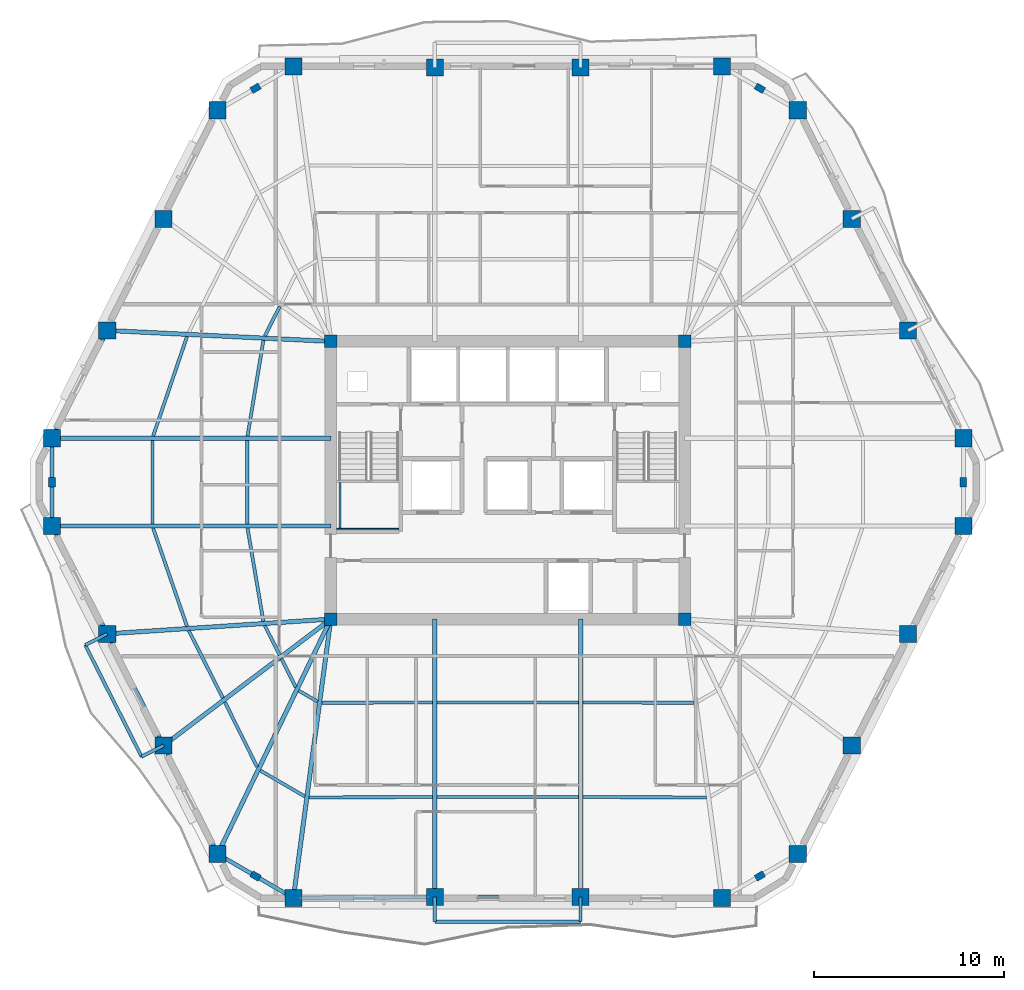
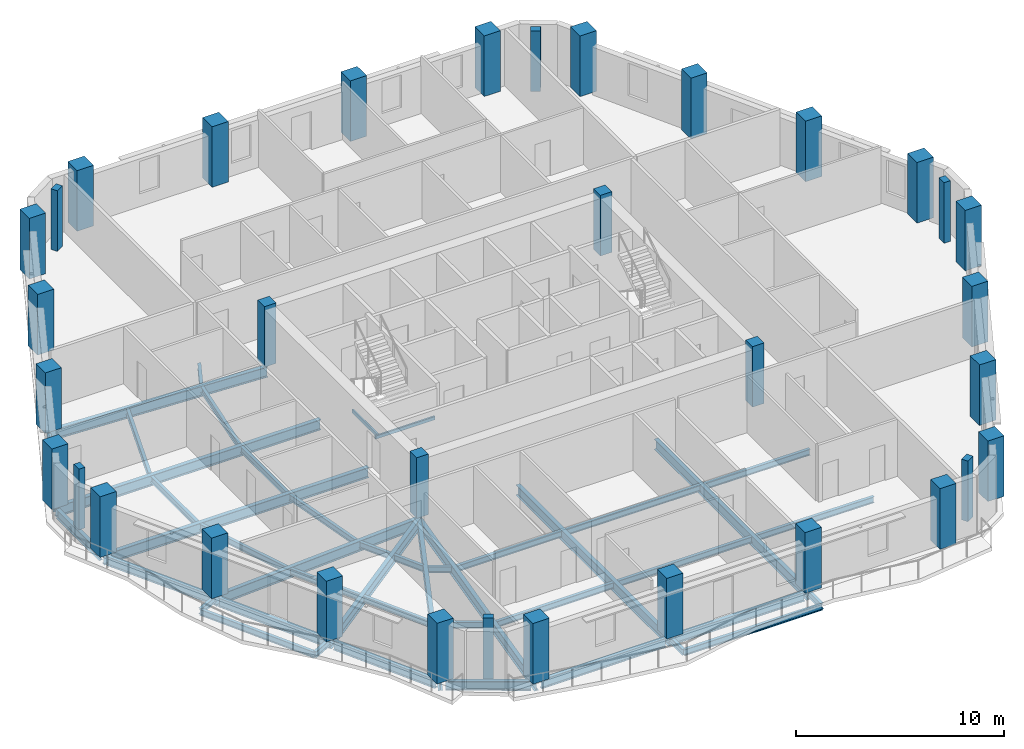
# One storey, part 1 of 12: 44 beams, 34 columns.
"""IFC4 building model written with IfcOpenShell, lengths in metres."""

from ifc_helpers import new_model, si_unit, direction, frame, origin, origin_2d, place, context, subcontext, project, spatial, rectangle, hollow_rectangle, i_section, extrude, material, material_profile, profile_set, type_object, element, save


model = new_model("IFC4")

# Units and contexts
model_context = context("Model", 3, precision=1e-05, world=origin(), true_north=direction((0.0, 1.0)))
body_context = subcontext(model_context, "Body", "Model", "MODEL_VIEW")
ifc_project = project(units=[si_unit("LENGTHUNIT", "METRE"), si_unit("AREAUNIT", "SQUARE_METRE"), si_unit("VOLUMEUNIT", "CUBIC_METRE"), si_unit("PLANEANGLEUNIT", "RADIAN"), si_unit("MASSUNIT", "GRAM", prefix="KILO")], contexts=[model_context])

# Site, building, storey
site_placement = place(None, origin())
site = spatial("IfcSite", under=ifc_project, at=site_placement, CompositionType="ELEMENT")
building_placement = place(site_placement, origin())
building = spatial("IfcBuilding", under=site, at=building_placement, Name="Cinnabar Lancet Tower", CompositionType="ELEMENT")
storey_placement = place(building_placement, frame((0.0, 0.0, 157.050048828125)))
storey = spatial("IfcBuildingStorey", under=building, at=storey_placement, Name="L41", CompositionType="ELEMENT", Elevation=157.050048828125)

# Columns
ifc_material_1 = material(Name="Concrete C60/75", Category="concrete")
ifc_material_profile_1 = material_profile(ifc_material_1, rectangle(XDim=0.64990234375, YDim=0.64990234375, at=origin_2d()), Name="RC-COL 650x650")
ifc_profile_set_1 = profile_set([ifc_material_profile_1], Name="Concrete C60/75")
column_type_1 = type_object("IfcColumnType", Name="STR-COL-CORE-650", PredefinedType="COLUMN", material=ifc_profile_set_1)
for number, where, z_axis, x_axis, name in (
    (1, (23.10009765625, 18.60009765625, 0.0), (0.0, 0.0, 1.0), (1.0, 0.0, 0.0), "L41 Core Corner Column SW"),
    (2, (41.699951171875, 18.60009765625, 0.0), (0.0, 0.0, 1.0), (1.0, 0.0, 0.0), "L41 Core Corner Column SE"),
    (3, (41.699951171875, 33.199951171875, 0.0), (0.0, 0.0, 1.0), (1.0, 0.0, 0.0), "L41 Core Corner Column NE"),
    (4, (23.10009765625, 33.199951171875, 0.0), (0.0, 0.0, 1.0), (1.0, 0.0, 0.0), "L41 Core Corner Column NW"),
):
    element("IfcColumn", number, at=place(storey_placement, frame(where, z_axis=z_axis, x_axis=x_axis)), inside=storey, type_object=column_type_1, Name=name, PredefinedType="COLUMN", context=body_context, shape_type="SweptSolid", body=[
        extrude(rectangle(XDim=0.64990234375, YDim=0.64990234375, at=origin_2d()), origin(), (0.0, 0.0, 1.0), 3.550048828125),
    ])
ifc_material_2 = material(Name="Concrete C60/75", Category="concrete")
ifc_material_profile_2 = material_profile(ifc_material_2, rectangle(XDim=0.5, YDim=0.35009765625, at=origin_2d()), Name="RC-PIL 500x350")
ifc_profile_set_2 = profile_set([ifc_material_profile_2], Name="Concrete C60/75")
column_type_2 = type_object("IfcColumnType", Name="STR-COL-PIL-500", PredefinedType="PILASTER", material=ifc_profile_set_2)
for number, where, z_axis, x_axis, name in (
    (5, (19.14111328125, 5.093017578125, 0.0), (0.0, 0.0, 1.0), (0.865160173452, -0.501495637342, 0.0), "L41 Chamfered Corner Pilaster 1"),
    (6, (45.658935546875, 5.093017578125, 0.0), (0.0, 0.0, 1.0), (0.865160173452, 0.501495637342, 0.0), "L41 Chamfered Corner Pilaster 2"),
    (7, (56.35693359375, 25.800048828125, 0.0), (0.0, 0.0, 1.0), (0.0, 1.0, 0.0), "L41 Chamfered Corner Pilaster 3"),
    (8, (45.658935546875, 46.508056640625, 0.0), (0.0, 0.0, 1.0), (-0.865160173452, 0.501495637342, 0.0), "L41 Chamfered Corner Pilaster 4"),
    (9, (19.14111328125, 46.508056640625, 0.0), (0.0, 0.0, 1.0), (-0.865160173452, -0.501495637342, 0.0), "L41 Chamfered Corner Pilaster 5"),
    (10, (8.443115234375, 25.800048828125, 0.0), (0.0, 0.0, 1.0), (0.0, -1.0, 0.0), "L41 Chamfered Corner Pilaster 6"),
):
    element("IfcColumn", number, at=place(storey_placement, frame(where, z_axis=z_axis, x_axis=x_axis)), inside=storey, type_object=column_type_2, Name=name, PredefinedType="PILASTER", context=body_context, shape_type="SweptSolid", body=[
        extrude(rectangle(XDim=0.5, YDim=0.35009765625, at=origin_2d()), origin(), (0.0, 0.0, 1.0), 3.550048828125),
    ])
ifc_material_3 = material(Name="Concrete C60/75", Category="concrete")
ifc_material_profile_3 = material_profile(ifc_material_3, rectangle(XDim=0.89990234375, YDim=0.89990234375, at=origin_2d()), Name="RC-COL 900x900")
ifc_profile_set_3 = profile_set([ifc_material_profile_3], Name="Concrete C60/75")
column_type_3 = type_object("IfcColumnType", Name="STR-COL-TUBE-900", PredefinedType="COLUMN", material=ifc_profile_set_3)
for number, where, z_axis, x_axis, name in (
    (11, (21.131103515625, 3.93896484375, 0.0), (0.0, 0.0, 1.0), (1.0, 0.0, 0.0), "L41 Perimeter Tube Column 1"),
    (12, (28.568115234375, 3.991943359375, 0.0), (0.0, 0.0, 1.0), (1.0, 0.0, 0.0), "L41 Perimeter Tube Column 2"),
    (13, (36.23193359375, 3.991943359375, 0.0), (0.0, 0.0, 1.0), (1.0, 0.0, 0.0), "L41 Perimeter Tube Column 3"),
    (14, (43.6689453125, 3.93896484375, 0.0), (0.0, 0.0, 1.0), (1.0, 0.0, 0.0), "L41 Perimeter Tube Column 4"),
    (15, (47.64892578125, 6.24609375, 0.0), (0.0, 0.0, 1.0), (1.0, 0.0, 0.0), "L41 Perimeter Tube Column 5"),
    (16, (50.489013671875, 11.955078125, 0.0), (0.0, 0.0, 1.0), (1.0, 0.0, 0.0), "L41 Perimeter Tube Column 6"),
    (17, (53.451904296875, 17.823974609375, 0.0), (0.0, 0.0, 1.0), (1.0, 0.0, 0.0), "L41 Perimeter Tube Column 7"),
    (18, (56.35693359375, 23.490966796875, 0.0), (0.0, 0.0, 1.0), (1.0, 0.0, 0.0), "L41 Perimeter Tube Column 8"),
    (19, (56.35693359375, 28.10888671875, 0.0), (0.0, 0.0, 1.0), (1.0, 0.0, 0.0), "L41 Perimeter Tube Column 9"),
    (20, (53.451904296875, 33.77587890625, 0.0), (0.0, 0.0, 1.0), (1.0, 0.0, 0.0), "L41 Perimeter Tube Column 10"),
    (21, (50.489013671875, 39.64501953125, 0.0), (0.0, 0.0, 1.0), (1.0, 0.0, 0.0), "L41 Perimeter Tube Column 11"),
    (22, (47.64892578125, 45.35400390625, 0.0), (0.0, 0.0, 1.0), (1.0, 0.0, 0.0), "L41 Perimeter Tube Column 12"),
    (23, (43.6689453125, 47.660888671875, 0.0), (0.0, 0.0, 1.0), (1.0, 0.0, 0.0), "L41 Perimeter Tube Column 13"),
    (24, (36.23193359375, 47.60791015625, 0.0), (0.0, 0.0, 1.0), (1.0, 0.0, 0.0), "L41 Perimeter Tube Column 14"),
    (25, (28.568115234375, 47.60791015625, 0.0), (0.0, 0.0, 1.0), (1.0, 0.0, 0.0), "L41 Perimeter Tube Column 15"),
    (26, (21.131103515625, 47.660888671875, 0.0), (0.0, 0.0, 1.0), (1.0, 0.0, 0.0), "L41 Perimeter Tube Column 16"),
    (27, (17.15087890625, 45.35400390625, 0.0), (0.0, 0.0, 1.0), (1.0, 0.0, 0.0), "L41 Perimeter Tube Column 17"),
    (28, (14.31103515625, 39.64501953125, 0.0), (0.0, 0.0, 1.0), (1.0, 0.0, 0.0), "L41 Perimeter Tube Column 18"),
    (29, (11.347900390625, 33.77587890625, 0.0), (0.0, 0.0, 1.0), (1.0, 0.0, 0.0), "L41 Perimeter Tube Column 19"),
    (30, (8.443115234375, 28.10888671875, 0.0), (0.0, 0.0, 1.0), (1.0, 0.0, 0.0), "L41 Perimeter Tube Column 20"),
    (31, (8.443115234375, 23.490966796875, 0.0), (0.0, 0.0, 1.0), (1.0, 0.0, 0.0), "L41 Perimeter Tube Column 21"),
    (32, (11.347900390625, 17.823974609375, 0.0), (0.0, 0.0, 1.0), (1.0, 0.0, 0.0), "L41 Perimeter Tube Column 22"),
    (33, (14.31103515625, 11.955078125, 0.0), (0.0, 0.0, 1.0), (1.0, 0.0, 0.0), "L41 Perimeter Tube Column 23"),
    (34, (17.15087890625, 6.24609375, 0.0), (0.0, 0.0, 1.0), (1.0, 0.0, 0.0), "L41 Perimeter Tube Column 24"),
):
    element("IfcColumn", number, at=place(storey_placement, frame(where, z_axis=z_axis, x_axis=x_axis)), inside=storey, type_object=column_type_3, Name=name, PredefinedType="COLUMN", context=body_context, shape_type="SweptSolid", body=[
        extrude(rectangle(XDim=0.89990234375, YDim=0.89990234375, at=origin_2d()), origin(), (0.0, 0.0, 1.0), 3.550048828125),
    ])

# Beams
ifc_material_4 = material(Name="Structural steel S355", Category="steel")
ifc_material_profile_4 = material_profile(ifc_material_4, i_section(OverallWidth=0.17138671875, OverallDepth=0.35498046875, WebThickness=0.00732421875, FlangeThickness=0.011474609375, FilletRadius=0.01025390625, at=origin_2d()), Name="UKB 356x171x51")
ifc_profile_set_4 = profile_set([ifc_material_profile_4], Name="Structural steel S355")
beam_type_1 = type_object("IfcBeamType", Name="STR-BM-JST-356", PredefinedType="JOIST", material=ifc_profile_set_4)
beam_1_placement = place(storey_placement, frame((13.759033203125, 23.376953125, -0.387939453125), z_axis=(0.326162915393, -0.945313573701, 0.0), x_axis=(0.945313573701, 0.326162915393, 0.0)))
element("IfcBeam", 35, at=beam_1_placement, inside=storey, type_object=beam_type_1, Name="L41 Secondary Floor Joist 1", PredefinedType="JOIST", context=body_context, shape_type="SweptSolid", body=[
    extrude(i_section(OverallWidth=0.17138671875, OverallDepth=0.35498046875, WebThickness=0.00732421875, FlangeThickness=0.011474609375, FilletRadius=0.01025390625, at=origin_2d()), origin(), (0.0, 0.0, 1.0), 5.46044921875),
])
beam_2_placement = place(storey_placement, frame((18.721923828125, 23.376953125, -0.387939453125), z_axis=(0.167697718414, -0.985838463055, 0.0), x_axis=(0.985838463055, 0.167697718414, 0.0)))
element("IfcBeam", 36, at=beam_2_placement, inside=storey, type_object=beam_type_1, Name="L41 Secondary Floor Joist 2", PredefinedType="JOIST", context=body_context, shape_type="SweptSolid", body=[
    extrude(i_section(OverallWidth=0.17138671875, OverallDepth=0.35498046875, WebThickness=0.00732421875, FlangeThickness=0.011474609375, FilletRadius=0.01025390625, at=origin_2d()), origin(), (0.0, 0.0, 1.0), 4.96728515625),
])
beam_3_placement = place(storey_placement, frame((15.635009765625, 17.992919921875, -0.387939453125), z_axis=(0.450656035687, -0.892697674187, 0.0), x_axis=(0.892697674187, 0.450656035687, 0.0)))
element("IfcBeam", 37, at=beam_3_placement, inside=storey, type_object=beam_type_1, Name="L41 Secondary Floor Joist 3", PredefinedType="JOIST", context=body_context, shape_type="SweptSolid", body=[
    extrude(i_section(OverallWidth=0.17138671875, OverallDepth=0.35498046875, WebThickness=0.00732421875, FlangeThickness=0.011474609375, FilletRadius=0.01025390625, at=origin_2d()), origin(), (0.0, 0.0, 1.0), 3.9677734375),
])
beam_4_placement = place(storey_placement, frame((19.6298828125, 18.257080078125, -0.387939453125), z_axis=(0.45064755491, -0.892701955444, 0.0), x_axis=(0.892701955444, 0.45064755491, 0.0)))
element("IfcBeam", 38, at=beam_4_placement, inside=storey, type_object=beam_type_1, Name="L41 Secondary Floor Joist 4", PredefinedType="JOIST", context=body_context, shape_type="SweptSolid", body=[
    extrude(i_section(OverallWidth=0.17138671875, OverallDepth=0.35498046875, WebThickness=0.00732421875, FlangeThickness=0.011474609375, FilletRadius=0.01025390625, at=origin_2d()), origin(), (0.0, 0.0, 1.0), 1.733154296875),
])
beam_5_placement = place(storey_placement, frame((17.527099609375, 14.242919921875, -0.387939453125), z_axis=(0.445320605596, -0.895371184611, 0.0), x_axis=(0.895371184611, 0.445320605596, 0.0)))
element("IfcBeam", 39, at=beam_5_placement, inside=storey, type_object=beam_type_1, Name="L41 Secondary Floor Joist 5", PredefinedType="JOIST", context=body_context, shape_type="SweptSolid", body=[
    extrude(i_section(OverallWidth=0.17138671875, OverallDepth=0.35498046875, WebThickness=0.00732421875, FlangeThickness=0.011474609375, FilletRadius=0.01025390625, at=origin_2d()), origin(), (0.0, 0.0, 1.0), 3.819580078125),
])
beam_6_placement = place(storey_placement, frame((20.514892578125, 16.5029296875, -0.387939453125), z_axis=(0.445322008813, -0.895370486708, 0.0), x_axis=(0.895370486708, 0.445322008813, 0.0)))
element("IfcBeam", 40, at=beam_6_placement, inside=storey, type_object=beam_type_1, Name="L41 Secondary Floor Joist 6", PredefinedType="JOIST", context=body_context, shape_type="SweptSolid", body=[
    extrude(i_section(OverallWidth=0.17138671875, OverallDepth=0.35498046875, WebThickness=0.00732421875, FlangeThickness=0.011474609375, FilletRadius=0.01025390625, at=origin_2d()), origin(), (0.0, 0.0, 1.0), 1.65283203125),
])
beam_7_placement = place(storey_placement, frame((19.39208984375, 10.635986328125, -0.387939453125), z_axis=(0.865150214692, -0.501512817403, 0.0), x_axis=(0.501512817403, 0.865150214692, 0.0)))
element("IfcBeam", 41, at=beam_7_placement, inside=storey, type_object=beam_type_1, Name="L41 Secondary Floor Joist 7", PredefinedType="JOIST", context=body_context, shape_type="SweptSolid", body=[
    extrude(i_section(OverallWidth=0.17138671875, OverallDepth=0.35498046875, WebThickness=0.00732421875, FlangeThickness=0.011474609375, FilletRadius=0.01025390625, at=origin_2d()), origin(), (0.0, 0.0, 1.0), 2.70556640625),
])
beam_8_placement = place(storey_placement, frame((21.4140625, 14.8359375, -0.387939453125), z_axis=(0.865426285481, -0.501036270542, 0.0), x_axis=(0.501036270542, 0.865426285481, 0.0)))
element("IfcBeam", 42, at=beam_8_placement, inside=storey, type_object=beam_type_1, Name="L41 Secondary Floor Joist 8", PredefinedType="JOIST", context=body_context, shape_type="SweptSolid", body=[
    extrude(i_section(OverallWidth=0.17138671875, OverallDepth=0.35498046875, WebThickness=0.00732421875, FlangeThickness=0.011474609375, FilletRadius=0.01025390625, at=origin_2d()), origin(), (0.0, 0.0, 1.0), 1.1416015625),
])
beam_9_placement = place(storey_placement, frame((21.955078125, 9.218017578125, -0.387939453125), z_axis=(0.999987891549, 0.004921052359, 0.0), x_axis=(-0.004921052359, 0.999987891549, 0.0)))
element("IfcBeam", 43, at=beam_9_placement, inside=storey, type_object=beam_type_1, Name="L41 Secondary Floor Joist 9", PredefinedType="JOIST", context=body_context, shape_type="SweptSolid", body=[
    extrude(i_section(OverallWidth=0.17138671875, OverallDepth=0.35498046875, WebThickness=0.00732421875, FlangeThickness=0.011474609375, FilletRadius=0.01025390625, at=origin_2d()), origin(), (0.0, 0.0, 1.0), 6.4990234375),
])
beam_10_placement = place(storey_placement, frame((22.6240234375, 14.201904296875, -0.387939453125), z_axis=(0.999996629591, 0.002596306157, 0.0), x_axis=(-0.002596306157, 0.999996629591, 0.0)))
element("IfcBeam", 44, at=beam_10_placement, inside=storey, type_object=beam_type_1, Name="L41 Secondary Floor Joist 10", PredefinedType="JOIST", context=body_context, shape_type="SweptSolid", body=[
    extrude(i_section(OverallWidth=0.17138671875, OverallDepth=0.35498046875, WebThickness=0.00732421875, FlangeThickness=0.011474609375, FilletRadius=0.01025390625, at=origin_2d()), origin(), (0.0, 0.0, 1.0), 5.830078125),
])
for number, where, z_axis, x_axis, name in (
    (45, (28.681884765625, 9.2509765625, -0.387939453125), (1.0, 0.0, 0.0), (0.0, 1.0, 0.0), "L41 Secondary Floor Joist 11"),
    (46, (28.681884765625, 14.218017578125, -0.387939453125), (1.0, 0.0, 0.0), (0.0, 1.0, 0.0), "L41 Secondary Floor Joist 12"),
):
    element("IfcBeam", number, at=place(storey_placement, frame(where, z_axis=z_axis, x_axis=x_axis)), inside=storey, type_object=beam_type_1, Name=name, PredefinedType="JOIST", context=body_context, shape_type="SweptSolid", body=[
        extrude(i_section(OverallWidth=0.17138671875, OverallDepth=0.35498046875, WebThickness=0.00732421875, FlangeThickness=0.011474609375, FilletRadius=0.01025390625, at=origin_2d()), origin(), (0.0, 0.0, 1.0), 7.43603515625),
    ])
beam_11_placement = place(storey_placement, frame((36.345947265625, 9.25, -0.387939453125), z_axis=(0.999987891549, -0.004921052359, 0.0), x_axis=(0.004921052359, 0.999987891549, 0.0)))
element("IfcBeam", 47, at=beam_11_placement, inside=storey, type_object=beam_type_1, Name="L41 Secondary Floor Joist 13", PredefinedType="JOIST", context=body_context, shape_type="SweptSolid", body=[
    extrude(i_section(OverallWidth=0.17138671875, OverallDepth=0.35498046875, WebThickness=0.00732421875, FlangeThickness=0.011474609375, FilletRadius=0.01025390625, at=origin_2d()), origin(), (0.0, 0.0, 1.0), 6.4990234375),
])
beam_12_placement = place(storey_placement, frame((36.345947265625, 14.217041015625, -0.387939453125), z_axis=(0.999996629591, -0.002596306157, 0.0), x_axis=(0.002596306157, 0.999996629591, 0.0)))
element("IfcBeam", 48, at=beam_12_placement, inside=storey, type_object=beam_type_1, Name="L41 Secondary Floor Joist 14", PredefinedType="JOIST", context=body_context, shape_type="SweptSolid", body=[
    extrude(i_section(OverallWidth=0.17138671875, OverallDepth=0.35498046875, WebThickness=0.00732421875, FlangeThickness=0.011474609375, FilletRadius=0.01025390625, at=origin_2d()), origin(), (0.0, 0.0, 1.0), 5.830078125),
])
beam_13_placement = place(storey_placement, frame((20.410888671875, 35.030029296875, -0.387939453125), z_axis=(-0.45031262143, -0.892870955391, 0.0), x_axis=(0.892870955391, -0.45031262143, 0.0)))
element("IfcBeam", 49, at=beam_13_placement, inside=storey, type_object=beam_type_1, Name="L41 Secondary Floor Joist 44", PredefinedType="JOIST", context=body_context, shape_type="SweptSolid", body=[
    extrude(i_section(OverallWidth=0.17138671875, OverallDepth=0.35498046875, WebThickness=0.00732421875, FlangeThickness=0.011474609375, FilletRadius=0.01025390625, at=origin_2d()), origin(), (0.0, 0.0, 1.0), 1.731689453125),
])
beam_14_placement = place(storey_placement, frame((15.5400390625, 33.4560546875, -0.387939453125), z_axis=(-0.322342106762, -0.946623244067, 0.0), x_axis=(0.946623244067, -0.322342106762, 0.0)))
element("IfcBeam", 50, at=beam_14_placement, inside=storey, type_object=beam_type_1, Name="L41 Secondary Floor Joist 45", PredefinedType="JOIST", context=body_context, shape_type="SweptSolid", body=[
    extrude(i_section(OverallWidth=0.17138671875, OverallDepth=0.35498046875, WebThickness=0.00732421875, FlangeThickness=0.011474609375, FilletRadius=0.01025390625, at=origin_2d()), origin(), (0.0, 0.0, 1.0), 5.5283203125),
])
beam_15_placement = place(storey_placement, frame((19.555908203125, 33.259033203125, -0.387939453125), z_axis=(-0.163375154205, -0.98656401667, 0.0), x_axis=(0.98656401667, -0.163375154205, 0.0)))
element("IfcBeam", 51, at=beam_15_placement, inside=storey, type_object=beam_type_1, Name="L41 Secondary Floor Joist 46", PredefinedType="JOIST", context=body_context, shape_type="SweptSolid", body=[
    extrude(i_section(OverallWidth=0.17138671875, OverallDepth=0.35498046875, WebThickness=0.00732421875, FlangeThickness=0.011474609375, FilletRadius=0.01025390625, at=origin_2d()), origin(), (0.0, 0.0, 1.0), 5.104736328125),
])
for number, where, z_axis, x_axis, name in (
    (52, (13.719970703125, 27.9951171875, -0.387939453125), (0.0, -1.0, 0.0), (1.0, 0.0, 0.0), "L41 Secondary Floor Joist 47"),
    (53, (18.702880859375, 27.9951171875, -0.387939453125), (0.0, -1.0, 0.0), (1.0, 0.0, 0.0), "L41 Secondary Floor Joist 48"),
):
    element("IfcBeam", number, at=place(storey_placement, frame(where, z_axis=z_axis, x_axis=x_axis)), inside=storey, type_object=beam_type_1, Name=name, PredefinedType="JOIST", context=body_context, shape_type="SweptSolid", body=[
        extrude(i_section(OverallWidth=0.17138671875, OverallDepth=0.35498046875, WebThickness=0.00732421875, FlangeThickness=0.011474609375, FilletRadius=0.01025390625, at=origin_2d()), origin(), (0.0, 0.0, 1.0), 4.39013671875),
    ])
ifc_material_5 = material(Name="Structural steel S355", Category="steel")
ifc_material_profile_5 = material_profile(ifc_material_5, hollow_rectangle(XDim=0.10009765625, YDim=0.199951171875, WallThickness=0.008056640625, InnerFilletRadius=0.00390625, OuterFilletRadius=0.011962890625, at=origin_2d()), Name="RHS 200x100x8")
ifc_profile_set_5 = profile_set([ifc_material_profile_5], Name="Structural steel S355")
beam_type_2 = type_object("IfcBeamType", Name="STR-BM-LND-203", PredefinedType="BEAM", material=ifc_profile_set_5)
beam_16_placement = place(storey_placement, frame((23.39990234375, 23.330078125, 1.474853515625), z_axis=(1.0, 0.0, 0.0), x_axis=(0.0, 1.0, 0.0)))
element("IfcBeam", 54, at=beam_16_placement, inside=storey, type_object=beam_type_2, Name="L41 ST-1-L41 Landing Support Beam S", PredefinedType="BEAM", context=body_context, shape_type="SweptSolid", body=[
    extrude(hollow_rectangle(XDim=0.10009765625, YDim=0.199951171875, WallThickness=0.008056640625, InnerFilletRadius=0.00390625, OuterFilletRadius=0.011962890625, at=origin_2d()), origin(), (0.0, 0.0, 1.0), 3.280029296875),
])
beam_17_placement = place(storey_placement, frame((23.580078125, 23.3798828125, 1.474853515625), z_axis=(0.0, 1.0, 0.0), x_axis=(-1.0, 0.0, 0.0)))
element("IfcBeam", 55, at=beam_17_placement, inside=storey, type_object=beam_type_2, Name="L41 ST-1-L41 Landing Side Trimmer Beam", PredefinedType="BEAM", context=body_context, shape_type="SweptSolid", body=[
    extrude(hollow_rectangle(XDim=0.10009765625, YDim=0.199951171875, WallThickness=0.008056640625, InnerFilletRadius=0.00390625, OuterFilletRadius=0.011962890625, at=origin_2d()), origin(), (0.0, 0.0, 1.0), 2.4150390625),
])
ifc_material_6 = material(Name="Structural steel S355", Category="steel")
ifc_material_profile_6 = material_profile(ifc_material_6, i_section(OverallWidth=0.209228515625, OverallDepth=0.533203125, WebThickness=0.010009765625, FlangeThickness=0.015625, FilletRadius=0.0126953125, at=origin_2d()), Name="UKB 533x210x92")
ifc_profile_set_6 = profile_set([ifc_material_profile_6], Name="Structural steel S355")
beam_type_3 = type_object("IfcBeamType", Name="STR-BM-SPN-533", PredefinedType="SPANDREL", material=ifc_profile_set_6)
beam_18_placement = place(storey_placement, frame((21.381103515625, 3.94091796875, -0.47705078125), z_axis=(0.999974980359, 0.007073800628, 0.0), x_axis=(-0.007073800628, 0.999974980359, 0.0)))
element("IfcBeam", 56, at=beam_18_placement, inside=storey, type_object=beam_type_3, Name="L41 Perimeter Spandrel 1", PredefinedType="SPANDREL", context=body_context, shape_type="SweptSolid", body=[
    extrude(i_section(OverallWidth=0.209228515625, OverallDepth=0.533203125, WebThickness=0.010009765625, FlangeThickness=0.015625, FilletRadius=0.0126953125, at=origin_2d()), origin(), (0.0, 0.0, 1.0), 6.937255859375),
])
beam_19_placement = place(storey_placement, frame((28.818115234375, 3.991943359375, -0.47705078125), z_axis=(1.0, 0.0, 0.0), x_axis=(0.0, 1.0, 0.0)))
element("IfcBeam", 57, at=beam_19_placement, inside=storey, type_object=beam_type_3, Name="L41 Perimeter Spandrel 2", PredefinedType="SPANDREL", context=body_context, shape_type="SweptSolid", body=[
    extrude(i_section(OverallWidth=0.209228515625, OverallDepth=0.533203125, WebThickness=0.010009765625, FlangeThickness=0.015625, FilletRadius=0.0126953125, at=origin_2d()), origin(), (0.0, 0.0, 1.0), 7.163818359375),
])
beam_20_placement = place(storey_placement, frame((11.23388671875, 33.553955078125, -0.47705078125), z_axis=(-0.456126618405, -0.889914888055, 0.0), x_axis=(0.889914888055, -0.456126618405, 0.0)))
element("IfcBeam", 58, at=beam_20_placement, inside=storey, type_object=beam_type_3, Name="L41 Perimeter Spandrel 19", PredefinedType="SPANDREL", context=body_context, shape_type="SweptSolid", body=[
    extrude(i_section(OverallWidth=0.209228515625, OverallDepth=0.533203125, WebThickness=0.010009765625, FlangeThickness=0.015625, FilletRadius=0.0126953125, at=origin_2d()), origin(), (0.0, 0.0, 1.0), 5.868896484375),
])
beam_21_placement = place(storey_placement, frame((8.443115234375, 27.85888671875, -0.47705078125), z_axis=(0.0, -1.0, 0.0), x_axis=(1.0, 0.0, 0.0)))
element("IfcBeam", 59, at=beam_21_placement, inside=storey, type_object=beam_type_3, Name="L41 Perimeter Spandrel 20", PredefinedType="SPANDREL", context=body_context, shape_type="SweptSolid", body=[
    extrude(i_section(OverallWidth=0.209228515625, OverallDepth=0.533203125, WebThickness=0.010009765625, FlangeThickness=0.015625, FilletRadius=0.0126953125, at=origin_2d()), origin(), (0.0, 0.0, 1.0), 4.117919921875),
])
beam_22_placement = place(storey_placement, frame((8.556884765625, 23.26904296875, -0.47705078125), z_axis=(0.456109733574, -0.889923542187, 0.0), x_axis=(0.889923542187, 0.456109733574, 0.0)))
element("IfcBeam", 60, at=beam_22_placement, inside=storey, type_object=beam_type_3, Name="L41 Perimeter Spandrel 21", PredefinedType="SPANDREL", context=body_context, shape_type="SweptSolid", body=[
    extrude(i_section(OverallWidth=0.209228515625, OverallDepth=0.533203125, WebThickness=0.010009765625, FlangeThickness=0.015625, FilletRadius=0.0126953125, at=origin_2d()), origin(), (0.0, 0.0, 1.0), 5.869140625),
])
beam_23_placement = place(storey_placement, frame((11.4609375, 17.60107421875, -0.47705078125), z_axis=(0.450570325924, -0.892740937449, 0.0), x_axis=(0.892740937449, 0.450570325924, 0.0)))
element("IfcBeam", 61, at=beam_23_placement, inside=storey, type_object=beam_type_3, Name="L41 Perimeter Spandrel 22", PredefinedType="SPANDREL", context=body_context, shape_type="SweptSolid", body=[
    extrude(i_section(OverallWidth=0.209228515625, OverallDepth=0.533203125, WebThickness=0.010009765625, FlangeThickness=0.015625, FilletRadius=0.0126953125, at=origin_2d()), origin(), (0.0, 0.0, 1.0), 6.07470703125),
])
beam_24_placement = place(storey_placement, frame((14.422119140625, 11.73095703125, -0.47705078125), z_axis=(0.445501068635, -0.89528140707, 0.0), x_axis=(0.89528140707, 0.445501068635, 0.0)))
element("IfcBeam", 62, at=beam_24_placement, inside=storey, type_object=beam_type_3, Name="L41 Perimeter Spandrel 23", PredefinedType="SPANDREL", context=body_context, shape_type="SweptSolid", body=[
    extrude(i_section(OverallWidth=0.209228515625, OverallDepth=0.533203125, WebThickness=0.010009765625, FlangeThickness=0.015625, FilletRadius=0.0126953125, at=origin_2d()), origin(), (0.0, 0.0, 1.0), 5.87646484375),
])
beam_25_placement = place(storey_placement, frame((17.366943359375, 6.12109375, -0.47705078125), z_axis=(0.865112299906, -0.501578217781, 0.0), x_axis=(0.501578217781, 0.865112299906, 0.0)))
element("IfcBeam", 63, at=beam_25_placement, inside=storey, type_object=beam_type_3, Name="L41 Perimeter Spandrel 24", PredefinedType="SPANDREL", context=body_context, shape_type="SweptSolid", body=[
    extrude(i_section(OverallWidth=0.209228515625, OverallDepth=0.533203125, WebThickness=0.010009765625, FlangeThickness=0.015625, FilletRadius=0.0126953125, at=origin_2d()), origin(), (0.0, 0.0, 1.0), 4.101318359375),
])
ifc_material_7 = material(Name="Structural steel S355", Category="steel")
ifc_material_profile_7 = material_profile(ifc_material_7, i_section(OverallWidth=0.228271484375, OverallDepth=0.607666015625, WebThickness=0.010986328125, FlangeThickness=0.017333984375, FilletRadius=0.0126953125, at=origin_2d()), Name="UKB 610x229x113")
ifc_profile_set_7 = profile_set([ifc_material_profile_7], Name="Structural steel S355")
beam_type_4 = type_object("IfcBeamType", Name="STR-BM-UKB610-113", PredefinedType="BEAM", material=ifc_profile_set_7)
beam_26_placement = place(storey_placement, frame((14.31103515625, 11.955078125, -0.51416015625), z_axis=(0.797675450227, 0.603086955675, 0.0), x_axis=(-0.603086955675, 0.797675450227, 0.0)))
element("IfcBeam", 64, at=beam_26_placement, inside=storey, type_object=beam_type_4, Name="L41 Corner Collector Girder 1", PredefinedType="BEAM", context=body_context, shape_type="SweptSolid", body=[
    extrude(i_section(OverallWidth=0.228271484375, OverallDepth=0.607666015625, WebThickness=0.010986328125, FlangeThickness=0.017333984375, FilletRadius=0.0126953125, at=origin_2d()), origin(), (0.0, 0.0, 1.0), 11.018310546875),
])
beam_27_placement = place(storey_placement, frame((21.131103515625, 3.93896484375, -0.51416015625), z_axis=(0.133105256814, 0.991101907277, 0.0), x_axis=(-0.991101907277, 0.133105256814, 0.0)))
element("IfcBeam", 65, at=beam_27_placement, inside=storey, type_object=beam_type_4, Name="L41 Primary Floor Girder 1", PredefinedType="BEAM", context=body_context, shape_type="SweptSolid", body=[
    extrude(i_section(OverallWidth=0.228271484375, OverallDepth=0.607666015625, WebThickness=0.010986328125, FlangeThickness=0.017333984375, FilletRadius=0.0126953125, at=origin_2d()), origin(), (0.0, 0.0, 1.0), 14.792724609375),
])
for number, where, z_axis, x_axis, name in (
    (66, (28.568115234375, 3.991943359375, -0.51416015625), (0.0, 1.0, 0.0), (-1.0, 0.0, 0.0), "L41 Primary Floor Girder 2"),
    (67, (36.23193359375, 3.991943359375, -0.51416015625), (0.0, 1.0, 0.0), (-1.0, 0.0, 0.0), "L41 Primary Floor Girder 3"),
):
    element("IfcBeam", number, at=place(storey_placement, frame(where, z_axis=z_axis, x_axis=x_axis)), inside=storey, type_object=beam_type_4, Name=name, PredefinedType="BEAM", context=body_context, shape_type="SweptSolid", body=[
        extrude(i_section(OverallWidth=0.228271484375, OverallDepth=0.607666015625, WebThickness=0.010986328125, FlangeThickness=0.017333984375, FilletRadius=0.0126953125, at=origin_2d()), origin(), (0.0, 0.0, 1.0), 14.608154296875),
    ])
beam_28_placement = place(storey_placement, frame((11.347900390625, 33.77587890625, -0.51416015625), z_axis=(0.99880136637, -0.048947221955, 0.0), x_axis=(0.048947221955, 0.99880136637, 0.0)))
element("IfcBeam", 68, at=beam_28_placement, inside=storey, type_object=beam_type_4, Name="L41 Primary Floor Girder 19", PredefinedType="BEAM", context=body_context, shape_type="SweptSolid", body=[
    extrude(i_section(OverallWidth=0.228271484375, OverallDepth=0.607666015625, WebThickness=0.010986328125, FlangeThickness=0.017333984375, FilletRadius=0.0126953125, at=origin_2d()), origin(), (0.0, 0.0, 1.0), 11.766357421875),
])
for number, where, z_axis, x_axis, name in (
    (69, (8.443115234375, 28.10888671875, -0.51416015625), (1.0, 0.0, 0.0), (0.0, 1.0, 0.0), "L41 Primary Floor Girder 20"),
    (70, (8.443115234375, 23.490966796875, -0.51416015625), (1.0, 0.0, 0.0), (0.0, 1.0, 0.0), "L41 Primary Floor Girder 21"),
):
    element("IfcBeam", number, at=place(storey_placement, frame(where, z_axis=z_axis, x_axis=x_axis)), inside=storey, type_object=beam_type_4, Name=name, PredefinedType="BEAM", context=body_context, shape_type="SweptSolid", body=[
        extrude(i_section(OverallWidth=0.228271484375, OverallDepth=0.607666015625, WebThickness=0.010986328125, FlangeThickness=0.017333984375, FilletRadius=0.0126953125, at=origin_2d()), origin(), (0.0, 0.0, 1.0), 14.656982421875),
    ])
beam_29_placement = place(storey_placement, frame((11.347900390625, 17.823974609375, -0.51416015625), z_axis=(0.997826421842, 0.065897131002, 0.0), x_axis=(-0.065897131002, 0.997826421842, 0.0)))
element("IfcBeam", 71, at=beam_29_placement, inside=storey, type_object=beam_type_4, Name="L41 Primary Floor Girder 22", PredefinedType="BEAM", context=body_context, shape_type="SweptSolid", body=[
    extrude(i_section(OverallWidth=0.228271484375, OverallDepth=0.607666015625, WebThickness=0.010986328125, FlangeThickness=0.017333984375, FilletRadius=0.0126953125, at=origin_2d()), origin(), (0.0, 0.0, 1.0), 11.77783203125),
])
beam_30_placement = place(storey_placement, frame((17.15087890625, 6.24609375, -0.51416015625), z_axis=(0.433874505515, 0.900973314513, 0.0), x_axis=(-0.900973314513, 0.433874505515, 0.0)))
element("IfcBeam", 72, at=beam_30_placement, inside=storey, type_object=beam_type_4, Name="L41 Primary Floor Girder 24", PredefinedType="BEAM", context=body_context, shape_type="SweptSolid", body=[
    extrude(i_section(OverallWidth=0.228271484375, OverallDepth=0.607666015625, WebThickness=0.010986328125, FlangeThickness=0.017333984375, FilletRadius=0.0126953125, at=origin_2d()), origin(), (0.0, 0.0, 1.0), 13.7119140625),
])
ifc_material_8 = material(Name="Structural steel S355", Category="steel")
ifc_material_profile_8 = material_profile(ifc_material_8, i_section(OverallWidth=0.17138671875, OverallDepth=0.35498046875, WebThickness=0.00732421875, FlangeThickness=0.011474609375, FilletRadius=0.01025390625, at=origin_2d()), Name="UKB 356x171x51")
ifc_profile_set_8 = profile_set([ifc_material_profile_8], Name="Structural steel S355")
beam_type_5 = type_object("IfcBeamType", Name="STR-BM-WAV-OUT", PredefinedType="BEAM", material=ifc_profile_set_8)
for number, where, z_axis, x_axis, name in (
    (73, (28.568115234375, 3.991943359375, -0.39697265625), (0.0, -1.0, 0.0), (1.0, 0.0, 0.0), "L41 Face 1 Balcony Outlooker A"),
    (74, (36.23193359375, 3.991943359375, -0.39697265625), (0.0, -1.0, 0.0), (1.0, 0.0, 0.0), "L41 Face 1 Balcony Outlooker B"),
    (75, (11.347900390625, 17.823974609375, -0.39697265625), (-0.89227592947, -0.451490493464, 0.0), (0.451490493464, -0.89227592947, 0.0), "L41 Face 6 Balcony Outlooker A"),
):
    element("IfcBeam", number, at=place(storey_placement, frame(where, z_axis=z_axis, x_axis=x_axis)), inside=storey, type_object=beam_type_5, Name=name, PredefinedType="BEAM", context=body_context, shape_type="SweptSolid", body=[
        extrude(i_section(OverallWidth=0.17138671875, OverallDepth=0.35498046875, WebThickness=0.00732421875, FlangeThickness=0.011474609375, FilletRadius=0.01025390625, at=origin_2d()), origin(), (0.0, 0.0, 1.0), 1.300048828125),
    ])
beam_31_placement = place(storey_placement, frame((14.31103515625, 11.955078125, -0.39697265625), z_axis=(-0.892238560088, -0.451564338597, 0.0), x_axis=(0.451564338597, -0.892238560088, 0.0)))
element("IfcBeam", 76, at=beam_31_placement, inside=storey, type_object=beam_type_5, Name="L41 Face 6 Balcony Outlooker B", PredefinedType="BEAM", context=body_context, shape_type="SweptSolid", body=[
    extrude(i_section(OverallWidth=0.17138671875, OverallDepth=0.35498046875, WebThickness=0.00732421875, FlangeThickness=0.011474609375, FilletRadius=0.01025390625, at=origin_2d()), origin(), (0.0, 0.0, 1.0), 1.30029296875),
])
ifc_material_9 = material(Name="Structural steel S355", Category="steel")
ifc_material_profile_9 = material_profile(ifc_material_9, i_section(OverallWidth=0.17138671875, OverallDepth=0.35498046875, WebThickness=0.00732421875, FlangeThickness=0.011474609375, FilletRadius=0.01025390625, at=origin_2d()), Name="UKB 356x171x51")
ifc_profile_set_9 = profile_set([ifc_material_profile_9], Name="Structural steel S355")
beam_type_6 = type_object("IfcBeamType", Name="STR-BM-WAV-TRIM", PredefinedType="SPANDREL", material=ifc_profile_set_9)
beam_32_placement = place(storey_placement, frame((28.568115234375, 2.69189453125, -0.39697265625), z_axis=(1.0, 0.0, 0.0), x_axis=(0.0, 1.0, 0.0)))
element("IfcBeam", 77, at=beam_32_placement, inside=storey, type_object=beam_type_6, Name="L41 Face 1 Balcony Edge Trimmer", PredefinedType="SPANDREL", context=body_context, shape_type="SweptSolid", body=[
    extrude(i_section(OverallWidth=0.17138671875, OverallDepth=0.35498046875, WebThickness=0.00732421875, FlangeThickness=0.011474609375, FilletRadius=0.01025390625, at=origin_2d()), origin(), (0.0, 0.0, 1.0), 7.663818359375),
])
beam_33_placement = place(storey_placement, frame((10.18798828125, 17.237060546875, -0.39697265625), z_axis=(0.450656296771, -0.892697542385, 0.0), x_axis=(0.892697542385, 0.450656296771, 0.0)))
element("IfcBeam", 78, at=beam_33_placement, inside=storey, type_object=beam_type_6, Name="L41 Face 6 Balcony Edge Trimmer", PredefinedType="SPANDREL", context=body_context, shape_type="SweptSolid", body=[
    extrude(i_section(OverallWidth=0.17138671875, OverallDepth=0.35498046875, WebThickness=0.00732421875, FlangeThickness=0.011474609375, FilletRadius=0.01025390625, at=origin_2d()), origin(), (0.0, 0.0, 1.0), 6.57470703125),
])

save(model, "model.ifc")
